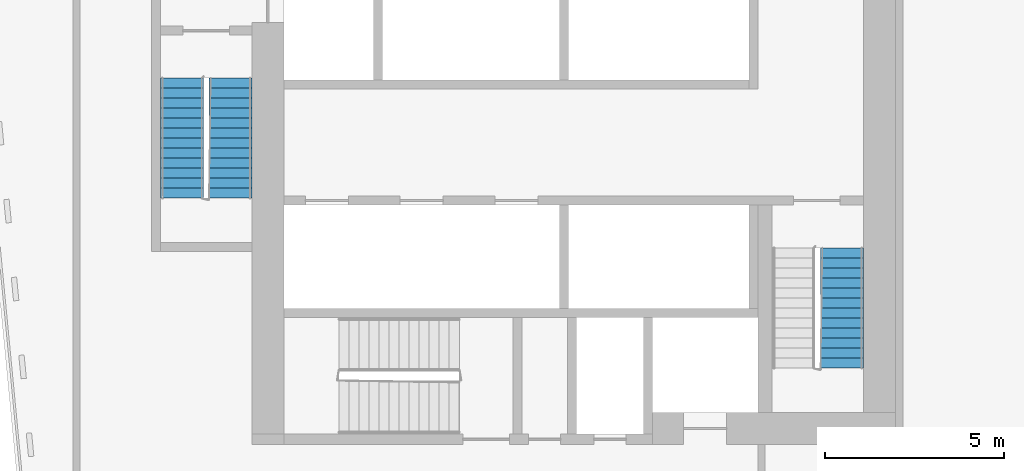
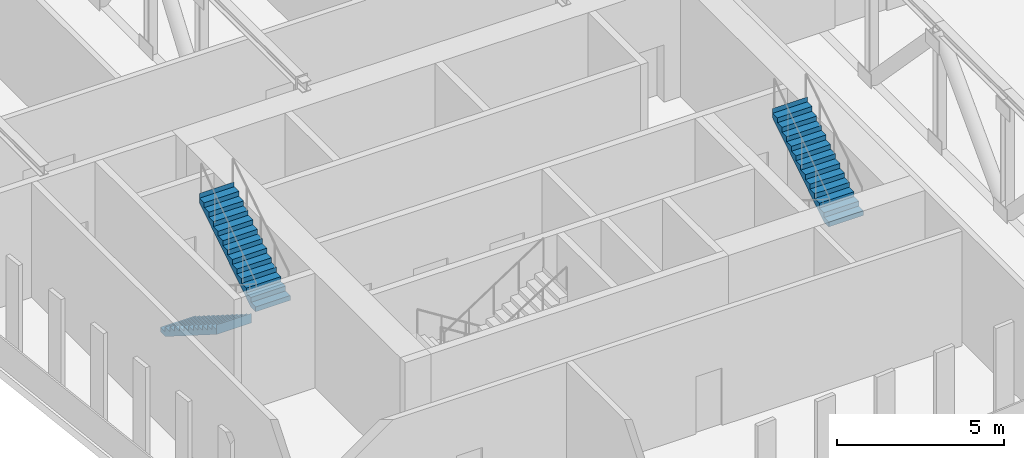
# One storey, part 18 of 22: 3 stair flights, 2 elements without a shape of their own.
"""IFC4 building model written with IfcOpenShell, lengths in metres."""

from ifc_helpers import new_model, si_unit, direction, frame, origin, place, context, subcontext, project, spatial, faceted_brep, material, type_object, element, aggregate, save


model = new_model("IFC4")

# Units and contexts
model_context = context("Model", 3, precision=1e-05, world=origin(), true_north=direction((0.0, 1.0)))
body_context = subcontext(model_context, "Body", "Model", "MODEL_VIEW")
ifc_project = project(units=[si_unit("LENGTHUNIT", "METRE"), si_unit("AREAUNIT", "SQUARE_METRE"), si_unit("VOLUMEUNIT", "CUBIC_METRE"), si_unit("PLANEANGLEUNIT", "RADIAN"), si_unit("MASSUNIT", "GRAM", prefix="KILO")], contexts=[model_context])

# Site, building, storey
site_placement = place(None, origin())
site = spatial("IfcSite", under=ifc_project, at=site_placement, CompositionType="ELEMENT")
building_placement = place(site_placement, origin())
building = spatial("IfcBuilding", under=site, at=building_placement, Name="Kajstack Hotel Tower", CompositionType="ELEMENT")
storey_placement = place(building_placement, frame((0.0, 0.0, 150.39990234375)))
storey = spatial("IfcBuildingStorey", under=building, at=storey_placement, Name="L35", CompositionType="ELEMENT", Elevation=150.39990234375)

# Stair, stair flights
ifc_material = material(Name="Concrete C40/50", Category="concrete")
stair_type = type_object("IfcStairType", Name="Exit stair 1200", PredefinedType="HALF_TURN_STAIR", material=ifc_material)
stair_1_placement = place(storey_placement, origin())
stair_1 = element("IfcStair", 1, at=stair_1_placement, inside=storey, type_object=stair_type, Name="L35 stair W1", PredefinedType="HALF_TURN_STAIR")
stair_flight_type = type_object("IfcStairFlightType", Name="Exit stair flight 1200", PredefinedType="STRAIGHT", material=ifc_material)
stair_flight_1_placement = place(storey_placement, frame((-33.449951171875, -5.25, 0.0), z_axis=(0.0, 0.0, 1.0), x_axis=(0.0, -1.0, 0.0)))
stair_flight_1 = element("IfcStairFlight", 2, at=stair_flight_1_placement, type_object=stair_flight_type, Name="W1 flight 1", NumberOfRisers=13, NumberOfTreads=12, PredefinedType="STRAIGHT", RiserHeight=0.176923077, TreadLength=0.28, context=body_context, shape_type="Brep", body=[
    faceted_brep([(0.281005859375, -0.60009765625, 0.0), (3.360595703125, -0.60009765625, 1.94580078125), (3.360595703125, -0.60009765625, 2.300048828125), (3.360107421875, -0.60009765625, 2.300048828125), (3.360107421875, -0.60009765625, 2.123046875), (3.080078125, -0.60009765625, 2.123046875), (3.080078125, -0.60009765625, 1.946044921875), (2.800048828125, -0.60009765625, 1.946044921875), (2.800048828125, -0.60009765625, 1.769287109375), (2.52001953125, -0.60009765625, 1.769287109375), (2.52001953125, -0.60009765625, 1.59228515625), (2.239990234375, -0.60009765625, 1.59228515625), (2.239990234375, -0.60009765625, 1.415283203125), (1.9599609375, -0.60009765625, 1.415283203125), (1.9599609375, -0.60009765625, 1.238525390625), (1.679931640625, -0.60009765625, 1.238525390625), (1.679931640625, -0.60009765625, 1.0615234375), (1.39990234375, -0.60009765625, 1.0615234375), (1.39990234375, -0.60009765625, 0.884521484375), (1.1201171875, -0.60009765625, 0.884521484375), (1.1201171875, -0.60009765625, 0.707763671875), (0.840087890625, -0.60009765625, 0.707763671875), (0.840087890625, -0.60009765625, 0.53076171875), (0.56005859375, -0.60009765625, 0.53076171875), (0.56005859375, -0.60009765625, 0.353759765625), (0.280029296875, -0.60009765625, 0.353759765625), (0.280029296875, -0.60009765625, 0.177001953125), (-0.00048828125, -0.60009765625, 0.177001953125), (-0.00048828125, -0.60009765625, 0.0), (-0.00048828125, 0.60009765625, 0.0), (-0.00048828125, 0.60009765625, 0.177001953125), (0.280029296875, 0.60009765625, 0.177001953125), (0.280029296875, 0.60009765625, 0.353759765625), (0.56005859375, 0.60009765625, 0.353759765625), (0.56005859375, 0.60009765625, 0.53076171875), (0.840087890625, 0.60009765625, 0.53076171875), (0.840087890625, 0.60009765625, 0.707763671875), (1.1201171875, 0.60009765625, 0.707763671875), (1.1201171875, 0.60009765625, 0.884521484375), (1.39990234375, 0.60009765625, 0.884521484375), (1.39990234375, 0.60009765625, 1.0615234375), (1.679931640625, 0.60009765625, 1.0615234375), (1.679931640625, 0.60009765625, 1.238525390625), (1.9599609375, 0.60009765625, 1.238525390625), (1.9599609375, 0.60009765625, 1.415283203125), (2.239990234375, 0.60009765625, 1.415283203125), (2.239990234375, 0.60009765625, 1.59228515625), (2.52001953125, 0.60009765625, 1.59228515625), (2.52001953125, 0.60009765625, 1.769287109375), (2.800048828125, 0.60009765625, 1.769287109375), (2.800048828125, 0.60009765625, 1.946044921875), (3.080078125, 0.60009765625, 1.946044921875), (3.080078125, 0.60009765625, 2.123046875), (3.360107421875, 0.60009765625, 2.123046875), (3.360107421875, 0.60009765625, 2.300048828125), (3.360595703125, 0.60009765625, 2.300048828125), (3.360595703125, 0.60009765625, 1.94580078125), (0.281005859375, 0.60009765625, 0.0), (-0.00048828125, -0.300048828125, 0.177001953125), (-0.00048828125, 0.0, 0.177001953125), (-0.00048828125, 0.300048828125, 0.177001953125), (-0.00048828125, 0.300048828125, 0.0), (-0.00048828125, 0.0, 0.0), (-0.00048828125, -0.300048828125, 0.0), (0.280029296875, -0.300048828125, 0.177001953125), (0.280029296875, 0.0, 0.177001953125), (0.280029296875, 0.300048828125, 0.177001953125), (0.280029296875, -0.300048828125, 0.353759765625), (0.280029296875, 0.0, 0.353759765625), (0.280029296875, 0.300048828125, 0.353759765625), (0.56005859375, -0.300048828125, 0.353759765625), (0.56005859375, 0.0, 0.353759765625), (0.56005859375, 0.300048828125, 0.353759765625), (0.56005859375, -0.300048828125, 0.53076171875), (0.56005859375, 0.0, 0.53076171875), (0.56005859375, 0.300048828125, 0.53076171875), (0.840087890625, -0.300048828125, 0.53076171875), (0.840087890625, 0.0, 0.53076171875), (0.840087890625, 0.300048828125, 0.53076171875), (0.840087890625, -0.300048828125, 0.707763671875), (0.840087890625, 0.0, 0.707763671875), (0.840087890625, 0.300048828125, 0.707763671875), (1.1201171875, -0.300048828125, 0.707763671875), (1.1201171875, 0.0, 0.707763671875), (1.1201171875, 0.300048828125, 0.707763671875), (1.1201171875, -0.300048828125, 0.884521484375), (1.1201171875, 0.0, 0.884521484375), (1.1201171875, 0.300048828125, 0.884521484375), (1.39990234375, -0.300048828125, 0.884521484375), (1.39990234375, 0.0, 0.884521484375), (1.39990234375, 0.300048828125, 0.884521484375), (1.39990234375, -0.300048828125, 1.0615234375), (1.39990234375, 0.0, 1.0615234375), (1.39990234375, 0.300048828125, 1.0615234375), (1.679931640625, -0.300048828125, 1.0615234375), (1.679931640625, 0.0, 1.0615234375), (1.679931640625, 0.300048828125, 1.0615234375), (1.679931640625, -0.300048828125, 1.238525390625), (1.679931640625, 0.0, 1.238525390625), (1.679931640625, 0.300048828125, 1.238525390625), (1.9599609375, -0.300048828125, 1.238525390625), (1.9599609375, 0.0, 1.238525390625), (1.9599609375, 0.300048828125, 1.238525390625), (1.9599609375, -0.300048828125, 1.415283203125), (1.9599609375, 0.0, 1.415283203125), (1.9599609375, 0.300048828125, 1.415283203125), (2.239990234375, -0.300048828125, 1.415283203125), (2.239990234375, 0.0, 1.415283203125), (2.239990234375, 0.300048828125, 1.415283203125), (2.239990234375, -0.300048828125, 1.59228515625), (2.239990234375, 0.0, 1.59228515625), (2.239990234375, 0.300048828125, 1.59228515625), (2.52001953125, -0.300048828125, 1.59228515625), (2.52001953125, 0.0, 1.59228515625), (2.52001953125, 0.300048828125, 1.59228515625), (2.52001953125, -0.300048828125, 1.769287109375), (2.52001953125, 0.0, 1.769287109375), (2.52001953125, 0.300048828125, 1.769287109375), (2.800048828125, -0.300048828125, 1.769287109375), (2.800048828125, 0.0, 1.769287109375), (2.800048828125, 0.300048828125, 1.769287109375), (2.800048828125, -0.300048828125, 1.946044921875), (2.800048828125, 0.0, 1.946044921875), (2.800048828125, 0.300048828125, 1.946044921875), (3.080078125, -0.300048828125, 1.946044921875), (3.080078125, 0.0, 1.946044921875), (3.080078125, 0.300048828125, 1.946044921875), (3.080078125, -0.300048828125, 2.123046875), (3.080078125, 0.0, 2.123046875), (3.080078125, 0.300048828125, 2.123046875), (3.360107421875, -0.300048828125, 2.123046875), (3.360107421875, 0.0, 2.123046875), (3.360107421875, 0.300048828125, 2.123046875), (3.360107421875, -0.300048828125, 2.300048828125), (3.360107421875, 0.0, 2.300048828125), (3.360107421875, 0.300048828125, 2.300048828125), (3.360595703125, -0.300048828125, 2.300048828125), (3.360595703125, 0.0, 2.300048828125), (3.360595703125, 0.300048828125, 2.300048828125), (3.360595703125, -0.300048828125, 1.94580078125), (3.360595703125, 0.0, 1.94580078125), (3.360595703125, 0.300048828125, 1.94580078125), (0.281005859375, -0.300048828125, 0.0), (0.281005859375, 0.0, 0.0), (0.281005859375, 0.300048828125, 0.0)], [[[0, 1, 2, 3, 4, 5, 6, 7, 8, 9, 10, 11, 12, 13, 14, 15, 16, 17, 18, 19, 20, 21, 22, 23, 24, 25, 26, 27, 28]], [[29, 30, 31, 32, 33, 34, 35, 36, 37, 38, 39, 40, 41, 42, 43, 44, 45, 46, 47, 48, 49, 50, 51, 52, 53, 54, 55, 56, 57]], [[27, 58, 59, 60, 30, 29, 61, 62, 63, 28]], [[26, 64, 65, 66, 31, 30, 60, 59, 58, 27]], [[25, 67, 68, 69, 32, 31, 66, 65, 64, 26]], [[24, 70, 71, 72, 33, 32, 69, 68, 67, 25]], [[23, 73, 74, 75, 34, 33, 72, 71, 70, 24]], [[22, 76, 77, 78, 35, 34, 75, 74, 73, 23]], [[21, 79, 80, 81, 36, 35, 78, 77, 76, 22]], [[20, 82, 83, 84, 37, 36, 81, 80, 79, 21]], [[19, 85, 86, 87, 38, 37, 84, 83, 82, 20]], [[18, 88, 89, 90, 39, 38, 87, 86, 85, 19]], [[17, 91, 92, 93, 40, 39, 90, 89, 88, 18]], [[16, 94, 95, 96, 41, 40, 93, 92, 91, 17]], [[15, 97, 98, 99, 42, 41, 96, 95, 94, 16]], [[14, 100, 101, 102, 43, 42, 99, 98, 97, 15]], [[13, 103, 104, 105, 44, 43, 102, 101, 100, 14]], [[12, 106, 107, 108, 45, 44, 105, 104, 103, 13]], [[11, 109, 110, 111, 46, 45, 108, 107, 106, 12]], [[10, 112, 113, 114, 47, 46, 111, 110, 109, 11]], [[9, 115, 116, 117, 48, 47, 114, 113, 112, 10]], [[8, 118, 119, 120, 49, 48, 117, 116, 115, 9]], [[7, 121, 122, 123, 50, 49, 120, 119, 118, 8]], [[6, 124, 125, 126, 51, 50, 123, 122, 121, 7]], [[5, 127, 128, 129, 52, 51, 126, 125, 124, 6]], [[4, 130, 131, 132, 53, 52, 129, 128, 127, 5]], [[3, 133, 134, 135, 54, 53, 132, 131, 130, 4]], [[2, 136, 137, 138, 55, 54, 135, 134, 133, 3]], [[1, 139, 140, 141, 56, 55, 138, 137, 136, 2]], [[0, 142, 143, 144, 57, 56, 141, 140, 139, 1]], [[28, 63, 62, 61, 29, 57, 144, 143, 142, 0]]]),
])
stair_flight_2_placement = place(storey_placement, frame((-32.10009765625, -8.610107421875, 2.300048828125), z_axis=(0.0, 0.0, 1.0), x_axis=(0.0, 1.0, 0.0)))
stair_flight_2 = element("IfcStairFlight", 3, at=stair_flight_2_placement, type_object=stair_flight_type, Name="W1 flight 2", NumberOfRisers=13, NumberOfTreads=12, PredefinedType="STRAIGHT", RiserHeight=0.176923077, TreadLength=0.28, context=body_context, shape_type="Brep", body=[
    faceted_brep([(0.281005859375, -0.60009765625, 0.0), (3.360595703125, -0.60009765625, 1.94580078125), (3.360595703125, -0.60009765625, 2.300048828125), (3.360107421875, -0.60009765625, 2.300048828125), (3.360107421875, -0.60009765625, 2.123046875), (3.080078125, -0.60009765625, 2.123046875), (3.080078125, -0.60009765625, 1.946044921875), (2.800048828125, -0.60009765625, 1.946044921875), (2.800048828125, -0.60009765625, 1.769287109375), (2.52001953125, -0.60009765625, 1.769287109375), (2.52001953125, -0.60009765625, 1.59228515625), (2.239990234375, -0.60009765625, 1.59228515625), (2.239990234375, -0.60009765625, 1.415283203125), (1.9599609375, -0.60009765625, 1.415283203125), (1.9599609375, -0.60009765625, 1.238525390625), (1.679931640625, -0.60009765625, 1.238525390625), (1.679931640625, -0.60009765625, 1.0615234375), (1.39990234375, -0.60009765625, 1.0615234375), (1.39990234375, -0.60009765625, 0.884521484375), (1.1201171875, -0.60009765625, 0.884521484375), (1.1201171875, -0.60009765625, 0.707763671875), (0.840087890625, -0.60009765625, 0.707763671875), (0.840087890625, -0.60009765625, 0.53076171875), (0.56005859375, -0.60009765625, 0.53076171875), (0.56005859375, -0.60009765625, 0.353759765625), (0.280029296875, -0.60009765625, 0.353759765625), (0.280029296875, -0.60009765625, 0.177001953125), (-0.00048828125, -0.60009765625, 0.177001953125), (-0.00048828125, -0.60009765625, 0.0), (-0.00048828125, 0.60009765625, 0.0), (-0.00048828125, 0.60009765625, 0.177001953125), (0.280029296875, 0.60009765625, 0.177001953125), (0.280029296875, 0.60009765625, 0.353759765625), (0.56005859375, 0.60009765625, 0.353759765625), (0.56005859375, 0.60009765625, 0.53076171875), (0.840087890625, 0.60009765625, 0.53076171875), (0.840087890625, 0.60009765625, 0.707763671875), (1.1201171875, 0.60009765625, 0.707763671875), (1.1201171875, 0.60009765625, 0.884521484375), (1.39990234375, 0.60009765625, 0.884521484375), (1.39990234375, 0.60009765625, 1.0615234375), (1.679931640625, 0.60009765625, 1.0615234375), (1.679931640625, 0.60009765625, 1.238525390625), (1.9599609375, 0.60009765625, 1.238525390625), (1.9599609375, 0.60009765625, 1.415283203125), (2.239990234375, 0.60009765625, 1.415283203125), (2.239990234375, 0.60009765625, 1.59228515625), (2.52001953125, 0.60009765625, 1.59228515625), (2.52001953125, 0.60009765625, 1.769287109375), (2.800048828125, 0.60009765625, 1.769287109375), (2.800048828125, 0.60009765625, 1.946044921875), (3.080078125, 0.60009765625, 1.946044921875), (3.080078125, 0.60009765625, 2.123046875), (3.360107421875, 0.60009765625, 2.123046875), (3.360107421875, 0.60009765625, 2.300048828125), (3.360595703125, 0.60009765625, 2.300048828125), (3.360595703125, 0.60009765625, 1.94580078125), (0.281005859375, 0.60009765625, 0.0), (-0.00048828125, -0.300048828125, 0.177001953125), (-0.00048828125, 0.0, 0.177001953125), (-0.00048828125, 0.300048828125, 0.177001953125), (-0.00048828125, 0.300048828125, 0.0), (-0.00048828125, 0.0, 0.0), (-0.00048828125, -0.300048828125, 0.0), (0.280029296875, -0.300048828125, 0.177001953125), (0.280029296875, 0.0, 0.177001953125), (0.280029296875, 0.300048828125, 0.177001953125), (0.280029296875, -0.300048828125, 0.353759765625), (0.280029296875, 0.0, 0.353759765625), (0.280029296875, 0.300048828125, 0.353759765625), (0.56005859375, -0.300048828125, 0.353759765625), (0.56005859375, 0.0, 0.353759765625), (0.56005859375, 0.300048828125, 0.353759765625), (0.56005859375, -0.300048828125, 0.53076171875), (0.56005859375, 0.0, 0.53076171875), (0.56005859375, 0.300048828125, 0.53076171875), (0.840087890625, -0.300048828125, 0.53076171875), (0.840087890625, 0.0, 0.53076171875), (0.840087890625, 0.300048828125, 0.53076171875), (0.840087890625, -0.300048828125, 0.707763671875), (0.840087890625, 0.0, 0.707763671875), (0.840087890625, 0.300048828125, 0.707763671875), (1.1201171875, -0.300048828125, 0.707763671875), (1.1201171875, 0.0, 0.707763671875), (1.1201171875, 0.300048828125, 0.707763671875), (1.1201171875, -0.300048828125, 0.884521484375), (1.1201171875, 0.0, 0.884521484375), (1.1201171875, 0.300048828125, 0.884521484375), (1.39990234375, -0.300048828125, 0.884521484375), (1.39990234375, 0.0, 0.884521484375), (1.39990234375, 0.300048828125, 0.884521484375), (1.39990234375, -0.300048828125, 1.0615234375), (1.39990234375, 0.0, 1.0615234375), (1.39990234375, 0.300048828125, 1.0615234375), (1.679931640625, -0.300048828125, 1.0615234375), (1.679931640625, 0.0, 1.0615234375), (1.679931640625, 0.300048828125, 1.0615234375), (1.679931640625, -0.300048828125, 1.238525390625), (1.679931640625, 0.0, 1.238525390625), (1.679931640625, 0.300048828125, 1.238525390625), (1.9599609375, -0.300048828125, 1.238525390625), (1.9599609375, 0.0, 1.238525390625), (1.9599609375, 0.300048828125, 1.238525390625), (1.9599609375, -0.300048828125, 1.415283203125), (1.9599609375, 0.0, 1.415283203125), (1.9599609375, 0.300048828125, 1.415283203125), (2.239990234375, -0.300048828125, 1.415283203125), (2.239990234375, 0.0, 1.415283203125), (2.239990234375, 0.300048828125, 1.415283203125), (2.239990234375, -0.300048828125, 1.59228515625), (2.239990234375, 0.0, 1.59228515625), (2.239990234375, 0.300048828125, 1.59228515625), (2.52001953125, -0.300048828125, 1.59228515625), (2.52001953125, 0.0, 1.59228515625), (2.52001953125, 0.300048828125, 1.59228515625), (2.52001953125, -0.300048828125, 1.769287109375), (2.52001953125, 0.0, 1.769287109375), (2.52001953125, 0.300048828125, 1.769287109375), (2.800048828125, -0.300048828125, 1.769287109375), (2.800048828125, 0.0, 1.769287109375), (2.800048828125, 0.300048828125, 1.769287109375), (2.800048828125, -0.300048828125, 1.946044921875), (2.800048828125, 0.0, 1.946044921875), (2.800048828125, 0.300048828125, 1.946044921875), (3.080078125, -0.300048828125, 1.946044921875), (3.080078125, 0.0, 1.946044921875), (3.080078125, 0.300048828125, 1.946044921875), (3.080078125, -0.300048828125, 2.123046875), (3.080078125, 0.0, 2.123046875), (3.080078125, 0.300048828125, 2.123046875), (3.360107421875, -0.300048828125, 2.123046875), (3.360107421875, 0.0, 2.123046875), (3.360107421875, 0.300048828125, 2.123046875), (3.360107421875, -0.300048828125, 2.300048828125), (3.360107421875, 0.0, 2.300048828125), (3.360107421875, 0.300048828125, 2.300048828125), (3.360595703125, -0.300048828125, 2.300048828125), (3.360595703125, 0.0, 2.300048828125), (3.360595703125, 0.300048828125, 2.300048828125), (3.360595703125, -0.300048828125, 1.94580078125), (3.360595703125, 0.0, 1.94580078125), (3.360595703125, 0.300048828125, 1.94580078125), (0.281005859375, -0.300048828125, 0.0), (0.281005859375, 0.0, 0.0), (0.281005859375, 0.300048828125, 0.0)], [[[0, 1, 2, 3, 4, 5, 6, 7, 8, 9, 10, 11, 12, 13, 14, 15, 16, 17, 18, 19, 20, 21, 22, 23, 24, 25, 26, 27, 28]], [[29, 30, 31, 32, 33, 34, 35, 36, 37, 38, 39, 40, 41, 42, 43, 44, 45, 46, 47, 48, 49, 50, 51, 52, 53, 54, 55, 56, 57]], [[27, 58, 59, 60, 30, 29, 61, 62, 63, 28]], [[26, 64, 65, 66, 31, 30, 60, 59, 58, 27]], [[25, 67, 68, 69, 32, 31, 66, 65, 64, 26]], [[24, 70, 71, 72, 33, 32, 69, 68, 67, 25]], [[23, 73, 74, 75, 34, 33, 72, 71, 70, 24]], [[22, 76, 77, 78, 35, 34, 75, 74, 73, 23]], [[21, 79, 80, 81, 36, 35, 78, 77, 76, 22]], [[20, 82, 83, 84, 37, 36, 81, 80, 79, 21]], [[19, 85, 86, 87, 38, 37, 84, 83, 82, 20]], [[18, 88, 89, 90, 39, 38, 87, 86, 85, 19]], [[17, 91, 92, 93, 40, 39, 90, 89, 88, 18]], [[16, 94, 95, 96, 41, 40, 93, 92, 91, 17]], [[15, 97, 98, 99, 42, 41, 96, 95, 94, 16]], [[14, 100, 101, 102, 43, 42, 99, 98, 97, 15]], [[13, 103, 104, 105, 44, 43, 102, 101, 100, 14]], [[12, 106, 107, 108, 45, 44, 105, 104, 103, 13]], [[11, 109, 110, 111, 46, 45, 108, 107, 106, 12]], [[10, 112, 113, 114, 47, 46, 111, 110, 109, 11]], [[9, 115, 116, 117, 48, 47, 114, 113, 112, 10]], [[8, 118, 119, 120, 49, 48, 117, 116, 115, 9]], [[7, 121, 122, 123, 50, 49, 120, 119, 118, 8]], [[6, 124, 125, 126, 51, 50, 123, 122, 121, 7]], [[5, 127, 128, 129, 52, 51, 126, 125, 124, 6]], [[4, 130, 131, 132, 53, 52, 129, 128, 127, 5]], [[3, 133, 134, 135, 54, 53, 132, 131, 130, 4]], [[2, 136, 137, 138, 55, 54, 135, 134, 133, 3]], [[1, 139, 140, 141, 56, 55, 138, 137, 136, 2]], [[0, 142, 143, 144, 57, 56, 141, 140, 139, 1]], [[28, 63, 62, 61, 29, 57, 144, 143, 142, 0]]]),
])
aggregate(stair_1, [stair_flight_1, stair_flight_2])

# Stair, stair flight
stair_2_placement = place(storey_placement, origin())
stair_2 = element("IfcStair", 4, at=stair_2_placement, inside=storey, type_object=stair_type, Name="L35 stair W2", PredefinedType="HALF_TURN_STAIR")
stair_flight_3_placement = place(storey_placement, frame((-15.0, -13.360107421875, 2.300048828125), z_axis=(0.0, 0.0, 1.0), x_axis=(0.0, 1.0, 0.0)))
stair_flight_3 = element("IfcStairFlight", 5, at=stair_flight_3_placement, type_object=stair_flight_type, Name="W2 flight 2", NumberOfRisers=13, NumberOfTreads=12, PredefinedType="STRAIGHT", RiserHeight=0.176923077, TreadLength=0.28, context=body_context, shape_type="Brep", body=[
    faceted_brep([(0.281005859375, -0.60009765625, 0.0), (3.360595703125, -0.60009765625, 1.94580078125), (3.360595703125, -0.60009765625, 2.300048828125), (3.360107421875, -0.60009765625, 2.300048828125), (3.360107421875, -0.60009765625, 2.123046875), (3.080078125, -0.60009765625, 2.123046875), (3.080078125, -0.60009765625, 1.946044921875), (2.800048828125, -0.60009765625, 1.946044921875), (2.800048828125, -0.60009765625, 1.769287109375), (2.52001953125, -0.60009765625, 1.769287109375), (2.52001953125, -0.60009765625, 1.59228515625), (2.239990234375, -0.60009765625, 1.59228515625), (2.239990234375, -0.60009765625, 1.415283203125), (1.9599609375, -0.60009765625, 1.415283203125), (1.9599609375, -0.60009765625, 1.238525390625), (1.679931640625, -0.60009765625, 1.238525390625), (1.679931640625, -0.60009765625, 1.0615234375), (1.39990234375, -0.60009765625, 1.0615234375), (1.39990234375, -0.60009765625, 0.884521484375), (1.1201171875, -0.60009765625, 0.884521484375), (1.1201171875, -0.60009765625, 0.707763671875), (0.840087890625, -0.60009765625, 0.707763671875), (0.840087890625, -0.60009765625, 0.53076171875), (0.56005859375, -0.60009765625, 0.53076171875), (0.56005859375, -0.60009765625, 0.353759765625), (0.280029296875, -0.60009765625, 0.353759765625), (0.280029296875, -0.60009765625, 0.177001953125), (-0.00048828125, -0.60009765625, 0.177001953125), (-0.00048828125, -0.60009765625, 0.0), (-0.00048828125, 0.60009765625, 0.0), (-0.00048828125, 0.60009765625, 0.177001953125), (0.280029296875, 0.60009765625, 0.177001953125), (0.280029296875, 0.60009765625, 0.353759765625), (0.56005859375, 0.60009765625, 0.353759765625), (0.56005859375, 0.60009765625, 0.53076171875), (0.840087890625, 0.60009765625, 0.53076171875), (0.840087890625, 0.60009765625, 0.707763671875), (1.1201171875, 0.60009765625, 0.707763671875), (1.1201171875, 0.60009765625, 0.884521484375), (1.39990234375, 0.60009765625, 0.884521484375), (1.39990234375, 0.60009765625, 1.0615234375), (1.679931640625, 0.60009765625, 1.0615234375), (1.679931640625, 0.60009765625, 1.238525390625), (1.9599609375, 0.60009765625, 1.238525390625), (1.9599609375, 0.60009765625, 1.415283203125), (2.239990234375, 0.60009765625, 1.415283203125), (2.239990234375, 0.60009765625, 1.59228515625), (2.52001953125, 0.60009765625, 1.59228515625), (2.52001953125, 0.60009765625, 1.769287109375), (2.800048828125, 0.60009765625, 1.769287109375), (2.800048828125, 0.60009765625, 1.946044921875), (3.080078125, 0.60009765625, 1.946044921875), (3.080078125, 0.60009765625, 2.123046875), (3.360107421875, 0.60009765625, 2.123046875), (3.360107421875, 0.60009765625, 2.300048828125), (3.360595703125, 0.60009765625, 2.300048828125), (3.360595703125, 0.60009765625, 1.94580078125), (0.281005859375, 0.60009765625, 0.0), (-0.00048828125, -0.300048828125, 0.177001953125), (-0.00048828125, 0.0, 0.177001953125), (-0.00048828125, 0.300048828125, 0.177001953125), (-0.00048828125, 0.300048828125, 0.0), (-0.00048828125, 0.0, 0.0), (-0.00048828125, -0.300048828125, 0.0), (0.280029296875, -0.300048828125, 0.177001953125), (0.280029296875, 0.0, 0.177001953125), (0.280029296875, 0.300048828125, 0.177001953125), (0.280029296875, -0.300048828125, 0.353759765625), (0.280029296875, 0.0, 0.353759765625), (0.280029296875, 0.300048828125, 0.353759765625), (0.56005859375, -0.300048828125, 0.353759765625), (0.56005859375, 0.0, 0.353759765625), (0.56005859375, 0.300048828125, 0.353759765625), (0.56005859375, -0.300048828125, 0.53076171875), (0.56005859375, 0.0, 0.53076171875), (0.56005859375, 0.300048828125, 0.53076171875), (0.840087890625, -0.300048828125, 0.53076171875), (0.840087890625, 0.0, 0.53076171875), (0.840087890625, 0.300048828125, 0.53076171875), (0.840087890625, -0.300048828125, 0.707763671875), (0.840087890625, 0.0, 0.707763671875), (0.840087890625, 0.300048828125, 0.707763671875), (1.1201171875, -0.300048828125, 0.707763671875), (1.1201171875, 0.0, 0.707763671875), (1.1201171875, 0.300048828125, 0.707763671875), (1.1201171875, -0.300048828125, 0.884521484375), (1.1201171875, 0.0, 0.884521484375), (1.1201171875, 0.300048828125, 0.884521484375), (1.39990234375, -0.300048828125, 0.884521484375), (1.39990234375, 0.0, 0.884521484375), (1.39990234375, 0.300048828125, 0.884521484375), (1.39990234375, -0.300048828125, 1.0615234375), (1.39990234375, 0.0, 1.0615234375), (1.39990234375, 0.300048828125, 1.0615234375), (1.679931640625, -0.300048828125, 1.0615234375), (1.679931640625, 0.0, 1.0615234375), (1.679931640625, 0.300048828125, 1.0615234375), (1.679931640625, -0.300048828125, 1.238525390625), (1.679931640625, 0.0, 1.238525390625), (1.679931640625, 0.300048828125, 1.238525390625), (1.9599609375, -0.300048828125, 1.238525390625), (1.9599609375, 0.0, 1.238525390625), (1.9599609375, 0.300048828125, 1.238525390625), (1.9599609375, -0.300048828125, 1.415283203125), (1.9599609375, 0.0, 1.415283203125), (1.9599609375, 0.300048828125, 1.415283203125), (2.239990234375, -0.300048828125, 1.415283203125), (2.239990234375, 0.0, 1.415283203125), (2.239990234375, 0.300048828125, 1.415283203125), (2.239990234375, -0.300048828125, 1.59228515625), (2.239990234375, 0.0, 1.59228515625), (2.239990234375, 0.300048828125, 1.59228515625), (2.52001953125, -0.300048828125, 1.59228515625), (2.52001953125, 0.0, 1.59228515625), (2.52001953125, 0.300048828125, 1.59228515625), (2.52001953125, -0.300048828125, 1.769287109375), (2.52001953125, 0.0, 1.769287109375), (2.52001953125, 0.300048828125, 1.769287109375), (2.800048828125, -0.300048828125, 1.769287109375), (2.800048828125, 0.0, 1.769287109375), (2.800048828125, 0.300048828125, 1.769287109375), (2.800048828125, -0.300048828125, 1.946044921875), (2.800048828125, 0.0, 1.946044921875), (2.800048828125, 0.300048828125, 1.946044921875), (3.080078125, -0.300048828125, 1.946044921875), (3.080078125, 0.0, 1.946044921875), (3.080078125, 0.300048828125, 1.946044921875), (3.080078125, -0.300048828125, 2.123046875), (3.080078125, 0.0, 2.123046875), (3.080078125, 0.300048828125, 2.123046875), (3.360107421875, -0.300048828125, 2.123046875), (3.360107421875, 0.0, 2.123046875), (3.360107421875, 0.300048828125, 2.123046875), (3.360107421875, -0.300048828125, 2.300048828125), (3.360107421875, 0.0, 2.300048828125), (3.360107421875, 0.300048828125, 2.300048828125), (3.360595703125, -0.300048828125, 2.300048828125), (3.360595703125, 0.0, 2.300048828125), (3.360595703125, 0.300048828125, 2.300048828125), (3.360595703125, -0.300048828125, 1.94580078125), (3.360595703125, 0.0, 1.94580078125), (3.360595703125, 0.300048828125, 1.94580078125), (0.281005859375, -0.300048828125, 0.0), (0.281005859375, 0.0, 0.0), (0.281005859375, 0.300048828125, 0.0)], [[[0, 1, 2, 3, 4, 5, 6, 7, 8, 9, 10, 11, 12, 13, 14, 15, 16, 17, 18, 19, 20, 21, 22, 23, 24, 25, 26, 27, 28]], [[29, 30, 31, 32, 33, 34, 35, 36, 37, 38, 39, 40, 41, 42, 43, 44, 45, 46, 47, 48, 49, 50, 51, 52, 53, 54, 55, 56, 57]], [[27, 58, 59, 60, 30, 29, 61, 62, 63, 28]], [[26, 64, 65, 66, 31, 30, 60, 59, 58, 27]], [[25, 67, 68, 69, 32, 31, 66, 65, 64, 26]], [[24, 70, 71, 72, 33, 32, 69, 68, 67, 25]], [[23, 73, 74, 75, 34, 33, 72, 71, 70, 24]], [[22, 76, 77, 78, 35, 34, 75, 74, 73, 23]], [[21, 79, 80, 81, 36, 35, 78, 77, 76, 22]], [[20, 82, 83, 84, 37, 36, 81, 80, 79, 21]], [[19, 85, 86, 87, 38, 37, 84, 83, 82, 20]], [[18, 88, 89, 90, 39, 38, 87, 86, 85, 19]], [[17, 91, 92, 93, 40, 39, 90, 89, 88, 18]], [[16, 94, 95, 96, 41, 40, 93, 92, 91, 17]], [[15, 97, 98, 99, 42, 41, 96, 95, 94, 16]], [[14, 100, 101, 102, 43, 42, 99, 98, 97, 15]], [[13, 103, 104, 105, 44, 43, 102, 101, 100, 14]], [[12, 106, 107, 108, 45, 44, 105, 104, 103, 13]], [[11, 109, 110, 111, 46, 45, 108, 107, 106, 12]], [[10, 112, 113, 114, 47, 46, 111, 110, 109, 11]], [[9, 115, 116, 117, 48, 47, 114, 113, 112, 10]], [[8, 118, 119, 120, 49, 48, 117, 116, 115, 9]], [[7, 121, 122, 123, 50, 49, 120, 119, 118, 8]], [[6, 124, 125, 126, 51, 50, 123, 122, 121, 7]], [[5, 127, 128, 129, 52, 51, 126, 125, 124, 6]], [[4, 130, 131, 132, 53, 52, 129, 128, 127, 5]], [[3, 133, 134, 135, 54, 53, 132, 131, 130, 4]], [[2, 136, 137, 138, 55, 54, 135, 134, 133, 3]], [[1, 139, 140, 141, 56, 55, 138, 137, 136, 2]], [[0, 142, 143, 144, 57, 56, 141, 140, 139, 1]], [[28, 63, 62, 61, 29, 57, 144, 143, 142, 0]]]),
])
aggregate(stair_2, [stair_flight_3])

save(model, "model.ifc")
